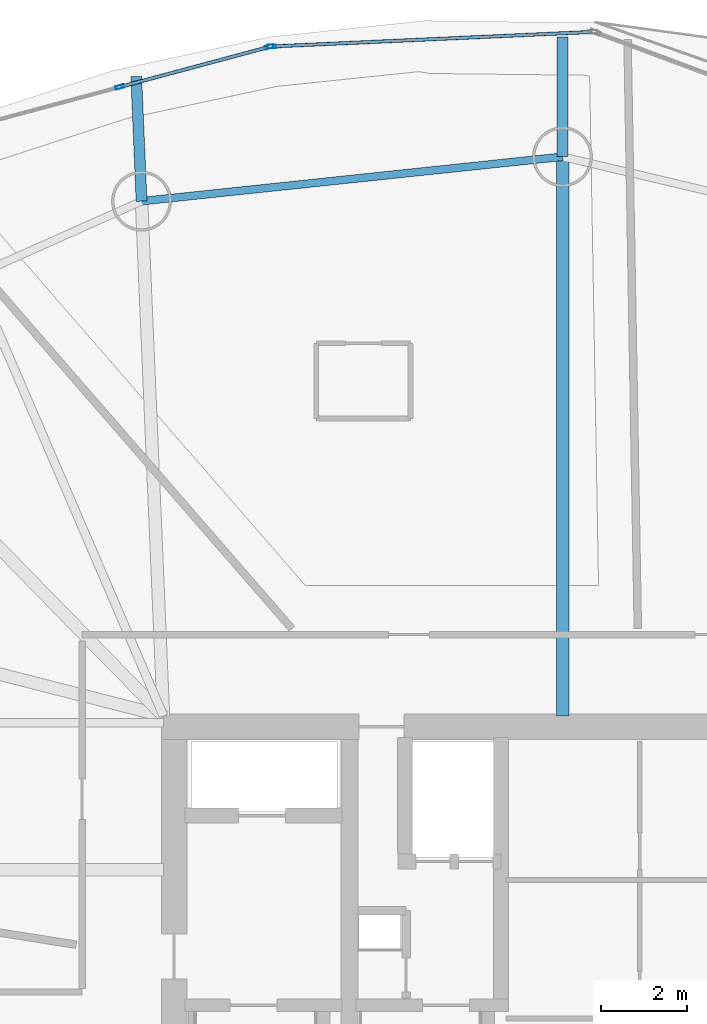
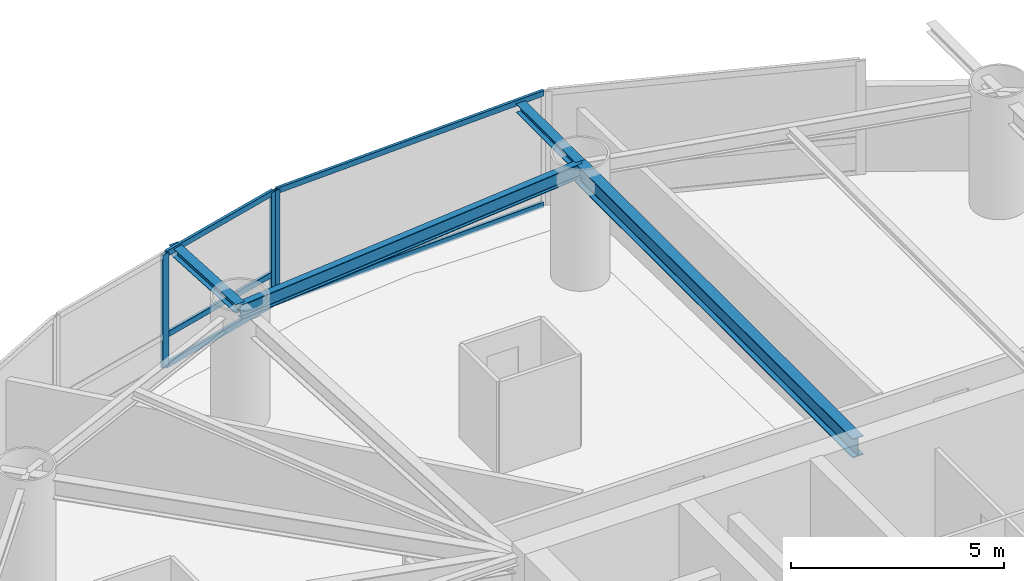
# One storey, part 9 of 19: 8 members, 4 beams, 2 elements without a shape of their own.
"""IFC4 building model written with IfcOpenShell, lengths in metres."""

from ifc_helpers import new_model, si_unit, direction, frame, origin, origin_2d, place, context, subcontext, project, spatial, hollow_rectangle, i_section, extrude, material, layer, layer_set, material_profile, profile_set, type_object, element, aggregate, save


model = new_model("IFC4")

# Units and contexts
model_context = context("Model", 3, precision=1e-05, world=origin(), true_north=direction((0.0, 1.0)))
body_context = subcontext(model_context, "Body", "Model", "MODEL_VIEW")
ifc_project = project(units=[si_unit("LENGTHUNIT", "METRE"), si_unit("AREAUNIT", "SQUARE_METRE"), si_unit("VOLUMEUNIT", "CUBIC_METRE"), si_unit("PLANEANGLEUNIT", "RADIAN"), si_unit("MASSUNIT", "GRAM", prefix="KILO")], contexts=[model_context])

# Site, building, storey
site_placement = place(None, origin())
site = spatial("IfcSite", under=ifc_project, at=site_placement, CompositionType="ELEMENT")
building_placement = place(site_placement, origin())
building = spatial("IfcBuilding", under=site, at=building_placement, Name="Bramvorn Convention Spire", CompositionType="ELEMENT")
storey_placement = place(building_placement, frame((0.0, 0.0, 109.800048828125)))
storey = spatial("IfcBuildingStorey", under=building, at=storey_placement, Name="L26", CompositionType="ELEMENT", Elevation=109.800048828125)

# Beams
ifc_material_1 = material(Name="Steel CSA G40.21 Grade 350 (350W)", Category="steel")
ifc_material_profile_1 = material_profile(ifc_material_1, i_section(OverallWidth=0.25390625, OverallDepth=0.2529296875, WebThickness=0.008544921875, FlangeThickness=0.01416015625, FilletRadius=0.011962890625, at=origin_2d()))
ifc_profile_set_1 = profile_set([ifc_material_profile_1], Name="Steel CSA G40.21 Grade 350 (350W) - W250X73")
beam_type_1 = type_object("IfcBeamType", Name="BM-W250X73", PredefinedType="BEAM", material=ifc_profile_set_1)
beam_1_placement = place(storey_placement, frame((36.075927734375, 46.517333984375, 3.133544921875), z_axis=(0.0, 1.0, 0.0), x_axis=(-1.0, 0.0, 0.0)))
element("IfcBeam", 1, at=beam_1_placement, inside=storey, type_object=beam_type_1, Name="L26 slab-edge cantilever tip beam MC06", PredefinedType="BEAM", context=body_context, shape_type="SweptSolid", body=[
    extrude(i_section(OverallWidth=0.25390625, OverallDepth=0.2529296875, WebThickness=0.008544921875, FlangeThickness=0.01416015625, FilletRadius=0.011962890625, at=origin_2d()), origin(), (0.0, 0.0, 1.0), 2.797119140625),
])
beam_2_placement = place(storey_placement, frame((26.23828125, 45.478759765625, 3.133544921875), z_axis=(-0.042511162066, 0.999095991935, 0.0), x_axis=(-0.999095991935, -0.042511162066, 0.0)))
element("IfcBeam", 2, at=beam_2_placement, inside=storey, type_object=beam_type_1, Name="L26 slab-edge cantilever tip beam MC07", PredefinedType="BEAM", context=body_context, shape_type="SweptSolid", body=[
    extrude(i_section(OverallWidth=0.25390625, OverallDepth=0.2529296875, WebThickness=0.008544921875, FlangeThickness=0.01416015625, FilletRadius=0.011962890625, at=origin_2d()), origin(), (0.0, 0.0, 1.0), 2.91748046875),
])
ifc_material_profile_2 = material_profile(ifc_material_1, i_section(OverallWidth=0.180908203125, OverallDepth=0.4169921875, WebThickness=0.010986328125, FlangeThickness=0.018310546875, FilletRadius=0.01611328125, at=origin_2d()))
ifc_profile_set_2 = profile_set([ifc_material_profile_2], Name="Steel CSA G40.21 Grade 350 (350W) - W410X85")
beam_type_2 = type_object("IfcBeamType", Name="BM-W410X85", PredefinedType="JOIST", material=ifc_profile_set_2)
beam_3_placement = place(storey_placement, frame((36.075927734375, 46.517333984375, 3.051513671875), z_axis=(-0.994473491975, -0.104987969596, 0.0), x_axis=(0.104987969596, -0.994473491975, 0.0)))
element("IfcBeam", 3, at=beam_3_placement, inside=storey, type_object=beam_type_2, Name="L26 mega-column ring beam 06", PredefinedType="JOIST", context=body_context, shape_type="SweptSolid", body=[
    extrude(i_section(OverallWidth=0.180908203125, OverallDepth=0.4169921875, WebThickness=0.010986328125, FlangeThickness=0.018310546875, FilletRadius=0.01611328125, at=origin_2d()), origin(), (0.0, 0.0, 1.0), 9.892333984375),
])
ifc_material_profile_3 = material_profile(ifc_material_1, i_section(OverallWidth=0.2919921875, OverallDepth=0.551025390625, WebThickness=0.01513671875, FlangeThickness=0.0244140625, FilletRadius=0.01904296875, at=origin_2d()))
ifc_profile_set_3 = profile_set([ifc_material_profile_3], Name="Steel CSA G40.21 Grade 350 (350W) - W530X182")
beam_type_3 = type_object("IfcBeamType", Name="BM-W530X182", PredefinedType="BEAM", material=ifc_profile_set_3)
beam_4_placement = place(storey_placement, frame((36.075927734375, 33.449951171875, 2.984375), z_axis=(0.0, 1.0, 0.0), x_axis=(-1.0, 0.0, 0.0)))
element("IfcBeam", 4, at=beam_4_placement, inside=storey, type_object=beam_type_3, Name="L26 radial floor girder MC06", PredefinedType="BEAM", context=body_context, shape_type="SweptSolid", body=[
    extrude(i_section(OverallWidth=0.2919921875, OverallDepth=0.551025390625, WebThickness=0.01513671875, FlangeThickness=0.0244140625, FilletRadius=0.01904296875, at=origin_2d()), origin(), (0.0, 0.0, 1.0), 13.0673828125),
])

# Curtain wall, member
ifc_material_2 = material(Name="Anodised Bronze Unitised Curtain Wall", Category="aluminium")
ifc_layer = layer(ifc_material_2, 0.179931640625)
ifc_layer_set = layer_set([ifc_layer], Name="Anodised Bronze Unitised Curtain Wall - CW-HTL-FRIT")
curtain_wall_type = type_object("IfcCurtainWallType", Name="CW-HTL-FRIT", PredefinedType="USERDEFINED", material=ifc_layer_set)
curtain_wall_1_placement = place(storey_placement, origin())
curtain_wall_1 = element("IfcCurtainWall", 5, at=curtain_wall_1_placement, inside=storey, type_object=curtain_wall_type, Name="L26 fritted glass curtain wall 08", ObjectType="UNITISED CURTAIN WALL", PredefinedType="USERDEFINED")
ifc_material_3 = material(Name="Anodised Bronze Aluminium 6063-T6", Category="aluminium")
ifc_material_profile_4 = material_profile(ifc_material_3, hollow_rectangle(XDim=0.080078125, YDim=0.199951171875, WallThickness=0.00390625, InnerFilletRadius=0.0009765625, OuterFilletRadius=0.00390625, at=origin_2d()))
ifc_profile_set_4 = profile_set([ifc_material_profile_4], Name="Anodised Bronze Aluminium 6063-T6 - CWM80X200")
member_type_1 = type_object("IfcMemberType", Name="CW-MUL-180", PredefinedType="MULLION", material=ifc_profile_set_4)
member_1_placement = place(storey_placement, frame((29.281494140625, 49.09375, 0.0), z_axis=(0.0, 0.0, 1.0), x_axis=(-0.045354923993, 0.998970935948, 0.0)))
member_1 = element("IfcMember", 6, at=member_1_placement, type_object=member_type_1, Name="CW2 mullion 1", PredefinedType="MULLION", context=body_context, shape_type="SweptSolid", body=[
    extrude(hollow_rectangle(XDim=0.080078125, YDim=0.199951171875, WallThickness=0.00390625, InnerFilletRadius=0.0009765625, OuterFilletRadius=0.00390625, at=origin_2d()), origin(), (0.0, 0.0, 1.0), 3.260009765625),
])

# Curtain wall, members
curtain_wall_2_placement = place(storey_placement, origin())
curtain_wall_2 = element("IfcCurtainWall", 7, at=curtain_wall_2_placement, inside=storey, type_object=curtain_wall_type, Name="L26 fritted glass curtain wall 09", ObjectType="UNITISED CURTAIN WALL", PredefinedType="USERDEFINED")
member_2_placement = place(storey_placement, frame((25.730224609375, 48.147216796875, 0.0), z_axis=(0.0, 0.0, 1.0), x_axis=(-0.259249943065, 0.965810264504, 0.0)))
member_2 = element("IfcMember", 8, at=member_2_placement, type_object=member_type_1, Name="CW2 mullion 2", PredefinedType="MULLION", context=body_context, shape_type="SweptSolid", body=[
    extrude(hollow_rectangle(XDim=0.080078125, YDim=0.199951171875, WallThickness=0.00390625, InnerFilletRadius=0.0009765625, OuterFilletRadius=0.00390625, at=origin_2d()), origin(), (0.0, 0.0, 1.0), 3.260009765625),
])
member_3_placement = place(storey_placement, frame((29.222412109375, 49.084716796875, 0.0), z_axis=(0.0, 0.0, 1.0), x_axis=(-0.259249943065, 0.965810264504, 0.0)))
member_3 = element("IfcMember", 9, at=member_3_placement, type_object=member_type_1, Name="CW2 mullion 3", PredefinedType="MULLION", context=body_context, shape_type="SweptSolid", body=[
    extrude(hollow_rectangle(XDim=0.080078125, YDim=0.199951171875, WallThickness=0.00390625, InnerFilletRadius=0.0009765625, OuterFilletRadius=0.00390625, at=origin_2d()), origin(), (0.0, 0.0, 1.0), 3.260009765625),
])

# Member
ifc_material_profile_5 = material_profile(ifc_material_3, hollow_rectangle(XDim=0.080078125, YDim=0.159912109375, WallThickness=0.00390625, InnerFilletRadius=0.0009765625, OuterFilletRadius=0.00390625, at=origin_2d()))
ifc_profile_set_5 = profile_set([ifc_material_profile_5], Name="Anodised Bronze Aluminium 6063-T6 - CWT80X160")
member_type_2 = type_object("IfcMemberType", Name="CW-TRN-150", PredefinedType="USERDEFINED", material=ifc_profile_set_5)
member_4_placement = place(storey_placement, frame((29.3115234375, 49.09521484375, 0.030029296875), z_axis=(0.998972186124, 0.045327379705, 0.0), x_axis=(-0.045327379705, 0.998972186124, 0.0)))
member_4 = element("IfcMember", 10, at=member_4_placement, type_object=member_type_2, Name="CW2 transom 1.1", ObjectType="TRANSOM", PredefinedType="USERDEFINED", context=body_context, shape_type="SweptSolid", body=[
    extrude(hollow_rectangle(XDim=0.080078125, YDim=0.159912109375, WallThickness=0.00390625, InnerFilletRadius=0.0009765625, OuterFilletRadius=0.00390625, at=origin_2d()), origin(), (0.0, 0.0, 1.0), 7.448974609375),
])

member_5_placement = place(storey_placement, frame((29.3115234375, 49.09521484375, 3.22998046875), z_axis=(0.998972186124, 0.045327379705, 0.0), x_axis=(-0.045327379705, 0.998972186124, 0.0)))
member_5 = element("IfcMember", 11, at=member_5_placement, type_object=member_type_2, Name="CW2 transom 1.2", ObjectType="TRANSOM", PredefinedType="USERDEFINED", context=body_context, shape_type="SweptSolid", body=[
    extrude(hollow_rectangle(XDim=0.080078125, YDim=0.159912109375, WallThickness=0.00390625, InnerFilletRadius=0.0009765625, OuterFilletRadius=0.00390625, at=origin_2d()), origin(), (0.0, 0.0, 1.0), 7.448974609375),
])

aggregate(curtain_wall_1, [member_1, member_4, member_5])

member_6_placement = place(storey_placement, frame((25.75927734375, 48.155029296875, 0.030029296875), z_axis=(0.965809719664, 0.259251972805, 0.0), x_axis=(-0.259251972805, 0.965809719664, 0.0)))
member_6 = element("IfcMember", 12, at=member_6_placement, type_object=member_type_2, Name="CW2 transom 2.1", ObjectType="TRANSOM", PredefinedType="USERDEFINED", context=body_context, shape_type="SweptSolid", body=[
    extrude(hollow_rectangle(XDim=0.080078125, YDim=0.159912109375, WallThickness=0.00390625, InnerFilletRadius=0.0009765625, OuterFilletRadius=0.00390625, at=origin_2d()), origin(), (0.0, 0.0, 1.0), 3.555908203125),
])

member_7_placement = place(storey_placement, frame((25.75927734375, 48.155029296875, 0.89990234375), z_axis=(0.965809719664, 0.259251972805, 0.0), x_axis=(-0.259251972805, 0.965809719664, 0.0)))
member_7 = element("IfcMember", 13, at=member_7_placement, type_object=member_type_2, Name="CW2 transom 2.2", ObjectType="TRANSOM", PredefinedType="USERDEFINED", context=body_context, shape_type="SweptSolid", body=[
    extrude(hollow_rectangle(XDim=0.080078125, YDim=0.159912109375, WallThickness=0.00390625, InnerFilletRadius=0.0009765625, OuterFilletRadius=0.00390625, at=origin_2d()), origin(), (0.0, 0.0, 1.0), 3.555908203125),
])

member_8_placement = place(storey_placement, frame((25.75927734375, 48.155029296875, 3.22998046875), z_axis=(0.965809719664, 0.259251972805, 0.0), x_axis=(-0.259251972805, 0.965809719664, 0.0)))
member_8 = element("IfcMember", 14, at=member_8_placement, type_object=member_type_2, Name="CW2 transom 2.3", ObjectType="TRANSOM", PredefinedType="USERDEFINED", context=body_context, shape_type="SweptSolid", body=[
    extrude(hollow_rectangle(XDim=0.080078125, YDim=0.159912109375, WallThickness=0.00390625, InnerFilletRadius=0.0009765625, OuterFilletRadius=0.00390625, at=origin_2d()), origin(), (0.0, 0.0, 1.0), 3.555908203125),
])

aggregate(curtain_wall_2, [member_2, member_3, member_6, member_7, member_8])

save(model, "model.ifc")
